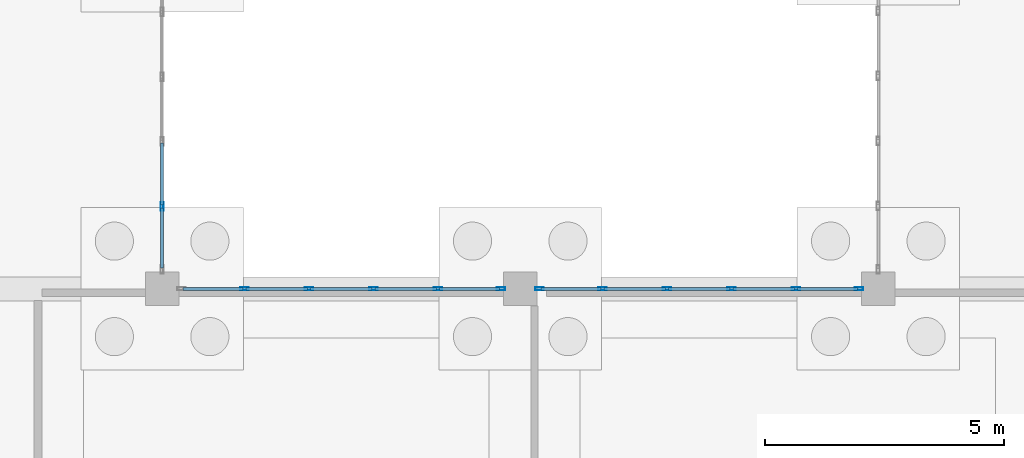
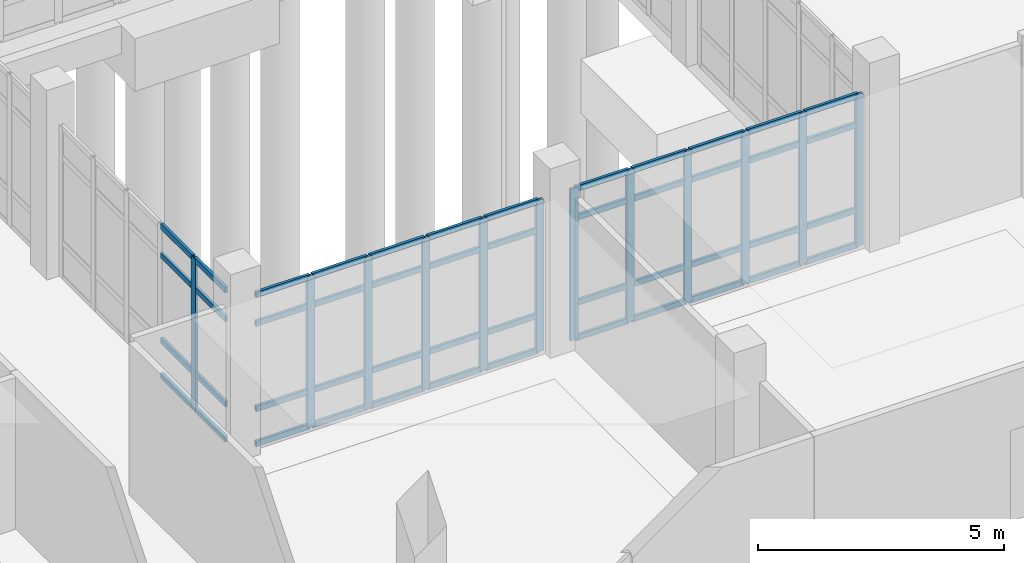
# One storey, part 39 of 173: 60 members, 3 elements without a shape of their own.
"""IFC4 building model written with IfcOpenShell, lengths in metres."""

from ifc_helpers import new_model, si_unit, direction, frame, origin, origin_2d, place, context, subcontext, project, spatial, hollow_rectangle, extrude, material, layer, layer_set, material_profile, profile_set, type_object, element, aggregate, save


model = new_model("IFC4")

# Units and contexts
model_context = context("Model", 3, precision=1e-05, world=origin(), true_north=direction((0.0, 1.0)))
body_context = subcontext(model_context, "Body", "Model", "MODEL_VIEW")
ifc_project = project(units=[si_unit("LENGTHUNIT", "METRE"), si_unit("AREAUNIT", "SQUARE_METRE"), si_unit("VOLUMEUNIT", "CUBIC_METRE"), si_unit("PLANEANGLEUNIT", "RADIAN"), si_unit("MASSUNIT", "GRAM", prefix="KILO")], contexts=[model_context])

# Site, building, storey
site_placement = place(None, origin())
site = spatial("IfcSite", under=ifc_project, at=site_placement, CompositionType="ELEMENT")
building_placement = place(site_placement, origin())
building = spatial("IfcBuilding", under=site, at=building_placement, Name="Mawjan Specialist Oncology Clinic", CompositionType="ELEMENT")
storey_placement = place(building_placement, origin())
storey = spatial("IfcBuildingStorey", under=building, at=storey_placement, Name="L00", CompositionType="ELEMENT", Elevation=0.0)

# Curtain wall, members
ifc_material_1 = material(Name="Unitised spectrally selective aluminium curtain wall", Category="aluminium")
ifc_layer_1 = layer(ifc_material_1, 0.179931640625, Name="Unitised spectrally selective aluminium curtain wall", Category="aluminium")
ifc_layer_set_1 = layer_set([ifc_layer_1], Name="Unitised spectrally selective aluminium curtain wall")
curtain_wall_type_1 = type_object("IfcCurtainWallType", Name="CW-29", PredefinedType="NOTDEFINED", material=ifc_layer_set_1)
curtain_wall_1_placement = place(storey_placement, origin())
curtain_wall_1 = element("IfcCurtainWall", 1, at=curtain_wall_1_placement, inside=storey, type_object=curtain_wall_type_1, Name="L00 Unitised Curtain Wall CW-L00-056", PredefinedType="NOTDEFINED")
ifc_material_2 = material(Name="Thermally broken aluminium 6063-T6", Category="aluminium")
ifc_material_profile_1 = material_profile(ifc_material_2, hollow_rectangle(XDim=0.06494140625, YDim=0.179931640625, WallThickness=0.00390625, at=origin_2d()), Name="ALU MULLION 180x65x4", Category="aluminium")
ifc_profile_set_1 = profile_set([ifc_material_profile_1], Name="Thermally broken aluminium 6063-T6")
member_type_1 = type_object("IfcMemberType", Name="CW-M180", PredefinedType="MULLION", material=ifc_profile_set_1)
member_1_placement = place(storey_placement, frame((16.721923828125, 45.800048828125, 0.0), z_axis=(0.0, 0.0, 1.0), x_axis=(0.0, 1.0, 0.0)))
member_1 = element("IfcMember", 2, at=member_1_placement, type_object=member_type_1, Name="CW-29 mullion 2", PredefinedType="MULLION", context=body_context, shape_type="SweptSolid", body=[
    extrude(hollow_rectangle(XDim=0.06494140625, YDim=0.179931640625, WallThickness=0.00390625, at=origin_2d()), origin(), (0.0, 0.0, 1.0), 3.764892578125),
])
member_2_placement = place(storey_placement, frame((18.073974609375, 45.800048828125, 0.0), z_axis=(0.0, 0.0, 1.0), x_axis=(0.0, 1.0, 0.0)))
member_2 = element("IfcMember", 3, at=member_2_placement, type_object=member_type_1, Name="CW-29 mullion 3", PredefinedType="MULLION", context=body_context, shape_type="SweptSolid", body=[
    extrude(hollow_rectangle(XDim=0.06494140625, YDim=0.179931640625, WallThickness=0.00390625, at=origin_2d()), origin(), (0.0, 0.0, 1.0), 3.764892578125),
])
member_3_placement = place(storey_placement, frame((19.426025390625, 45.800048828125, 0.0), z_axis=(0.0, 0.0, 1.0), x_axis=(0.0, 1.0, 0.0)))
member_3 = element("IfcMember", 4, at=member_3_placement, type_object=member_type_1, Name="CW-29 mullion 4", PredefinedType="MULLION", context=body_context, shape_type="SweptSolid", body=[
    extrude(hollow_rectangle(XDim=0.06494140625, YDim=0.179931640625, WallThickness=0.00390625, at=origin_2d()), origin(), (0.0, 0.0, 1.0), 3.764892578125),
])
member_4_placement = place(storey_placement, frame((20.778076171875, 45.800048828125, 0.0), z_axis=(0.0, 0.0, 1.0), x_axis=(0.0, 1.0, 0.0)))
member_4 = element("IfcMember", 5, at=member_4_placement, type_object=member_type_1, Name="CW-29 mullion 5", PredefinedType="MULLION", context=body_context, shape_type="SweptSolid", body=[
    extrude(hollow_rectangle(XDim=0.06494140625, YDim=0.179931640625, WallThickness=0.00390625, at=origin_2d()), origin(), (0.0, 0.0, 1.0), 3.764892578125),
])
member_5_placement = place(storey_placement, frame((22.097412109375, 45.800048828125, 0.0), z_axis=(0.0, 0.0, 1.0), x_axis=(0.0, 1.0, 0.0)))
member_5 = element("IfcMember", 6, at=member_5_placement, type_object=member_type_1, Name="CW-29 mullion 6", PredefinedType="MULLION", context=body_context, shape_type="SweptSolid", body=[
    extrude(hollow_rectangle(XDim=0.06494140625, YDim=0.179931640625, WallThickness=0.00390625, at=origin_2d()), origin(), (0.0, 0.0, 1.0), 3.764892578125),
])

curtain_wall_2_placement = place(storey_placement, origin())
curtain_wall_2 = element("IfcCurtainWall", 7, at=curtain_wall_2_placement, inside=storey, type_object=curtain_wall_type_1, Name="L00 Unitised Curtain Wall CW-L00-057", PredefinedType="NOTDEFINED")
member_6_placement = place(storey_placement, frame((22.902587890625, 45.800048828125, 0.0), z_axis=(0.0, 0.0, 1.0), x_axis=(0.0, 1.0, 0.0)))
member_6 = element("IfcMember", 8, at=member_6_placement, type_object=member_type_1, Name="CW-29 mullion 1", PredefinedType="MULLION", context=body_context, shape_type="SweptSolid", body=[
    extrude(hollow_rectangle(XDim=0.06494140625, YDim=0.179931640625, WallThickness=0.00390625, at=origin_2d()), origin(), (0.0, 0.0, 1.0), 3.764892578125),
])
member_7_placement = place(storey_placement, frame((24.221923828125, 45.800048828125, 0.0), z_axis=(0.0, 0.0, 1.0), x_axis=(0.0, 1.0, 0.0)))
member_7 = element("IfcMember", 9, at=member_7_placement, type_object=member_type_1, Name="CW-29 mullion 2", PredefinedType="MULLION", context=body_context, shape_type="SweptSolid", body=[
    extrude(hollow_rectangle(XDim=0.06494140625, YDim=0.179931640625, WallThickness=0.00390625, at=origin_2d()), origin(), (0.0, 0.0, 1.0), 3.764892578125),
])
member_8_placement = place(storey_placement, frame((25.573974609375, 45.800048828125, 0.0), z_axis=(0.0, 0.0, 1.0), x_axis=(0.0, 1.0, 0.0)))
member_8 = element("IfcMember", 10, at=member_8_placement, type_object=member_type_1, Name="CW-29 mullion 3", PredefinedType="MULLION", context=body_context, shape_type="SweptSolid", body=[
    extrude(hollow_rectangle(XDim=0.06494140625, YDim=0.179931640625, WallThickness=0.00390625, at=origin_2d()), origin(), (0.0, 0.0, 1.0), 3.764892578125),
])
member_9_placement = place(storey_placement, frame((26.926025390625, 45.800048828125, 0.0), z_axis=(0.0, 0.0, 1.0), x_axis=(0.0, 1.0, 0.0)))
member_9 = element("IfcMember", 11, at=member_9_placement, type_object=member_type_1, Name="CW-29 mullion 4", PredefinedType="MULLION", context=body_context, shape_type="SweptSolid", body=[
    extrude(hollow_rectangle(XDim=0.06494140625, YDim=0.179931640625, WallThickness=0.00390625, at=origin_2d()), origin(), (0.0, 0.0, 1.0), 3.764892578125),
])
member_10_placement = place(storey_placement, frame((28.278076171875, 45.800048828125, 0.0), z_axis=(0.0, 0.0, 1.0), x_axis=(0.0, 1.0, 0.0)))
member_10 = element("IfcMember", 12, at=member_10_placement, type_object=member_type_1, Name="CW-29 mullion 5", PredefinedType="MULLION", context=body_context, shape_type="SweptSolid", body=[
    extrude(hollow_rectangle(XDim=0.06494140625, YDim=0.179931640625, WallThickness=0.00390625, at=origin_2d()), origin(), (0.0, 0.0, 1.0), 3.764892578125),
])
member_11_placement = place(storey_placement, frame((29.597412109375, 45.800048828125, 0.0), z_axis=(0.0, 0.0, 1.0), x_axis=(0.0, 1.0, 0.0)))
member_11 = element("IfcMember", 13, at=member_11_placement, type_object=member_type_1, Name="CW-29 mullion 6", PredefinedType="MULLION", context=body_context, shape_type="SweptSolid", body=[
    extrude(hollow_rectangle(XDim=0.06494140625, YDim=0.179931640625, WallThickness=0.00390625, at=origin_2d()), origin(), (0.0, 0.0, 1.0), 3.764892578125),
])

# Curtain wall, member
ifc_material_3 = material(Name="Unitised spectrally selective aluminium curtain wall", Category="aluminium")
ifc_layer_2 = layer(ifc_material_3, 0.179931640625, Name="Unitised spectrally selective aluminium curtain wall", Category="aluminium")
ifc_layer_set_2 = layer_set([ifc_layer_2], Name="Unitised spectrally selective aluminium curtain wall")
curtain_wall_type_2 = type_object("IfcCurtainWallType", Name="CW-03", PredefinedType="NOTDEFINED", material=ifc_layer_set_2)
curtain_wall_3_placement = place(storey_placement, origin())
curtain_wall_3 = element("IfcCurtainWall", 14, at=curtain_wall_3_placement, inside=storey, type_object=curtain_wall_type_2, Name="L00 Unitised Curtain Wall CW-L00-063", PredefinedType="NOTDEFINED")
member_12_placement = place(storey_placement, frame((15.0, 47.527099609375, 0.0), z_axis=(0.0, 0.0, 1.0), x_axis=(1.0, 0.0, 0.0)))
member_12 = element("IfcMember", 15, at=member_12_placement, type_object=member_type_1, Name="CW-03 mullion 5", PredefinedType="MULLION", context=body_context, shape_type="SweptSolid", body=[
    extrude(hollow_rectangle(XDim=0.06494140625, YDim=0.179931640625, WallThickness=0.00390625, at=origin_2d()), origin(), (0.0, 0.0, 1.0), 3.764892578125),
])

# Member
ifc_material_4 = material(Name="Thermally broken aluminium 6063-T6", Category="aluminium")
ifc_material_profile_2 = material_profile(ifc_material_4, hollow_rectangle(XDim=0.06494140625, YDim=0.139892578125, WallThickness=0.00390625, at=origin_2d()), Name="ALU TRANSOM 140x65x4", Category="aluminium")
ifc_profile_set_2 = profile_set([ifc_material_profile_2], Name="Thermally broken aluminium 6063-T6")
member_type_2 = type_object("IfcMemberType", Name="CW-T140", PredefinedType="USERDEFINED", material=ifc_profile_set_2)
member_13_placement = place(storey_placement, frame((15.43505859375, 45.800048828125, 0.032470703125), z_axis=(1.0, 0.0, 0.0), x_axis=(0.0, 1.0, 0.0)))
member_13 = element("IfcMember", 16, at=member_13_placement, type_object=member_type_2, Name="CW-29 transom 1.1", ObjectType="TRANSOM", PredefinedType="USERDEFINED", context=body_context, shape_type="SweptSolid", body=[
    extrude(hollow_rectangle(XDim=0.06494140625, YDim=0.139892578125, WallThickness=0.00390625, at=origin_2d()), origin(), (0.0, 0.0, 1.0), 1.25439453125),
])

member_14_placement = place(storey_placement, frame((15.43505859375, 45.800048828125, 0.89990234375), z_axis=(1.0, 0.0, 0.0), x_axis=(0.0, 1.0, 0.0)))
member_14 = element("IfcMember", 17, at=member_14_placement, type_object=member_type_2, Name="CW-29 transom 1.2", ObjectType="TRANSOM", PredefinedType="USERDEFINED", context=body_context, shape_type="SweptSolid", body=[
    extrude(hollow_rectangle(XDim=0.06494140625, YDim=0.139892578125, WallThickness=0.00390625, at=origin_2d()), origin(), (0.0, 0.0, 1.0), 1.25439453125),
])

member_15_placement = place(storey_placement, frame((15.43505859375, 45.800048828125, 3.014892578125), z_axis=(1.0, 0.0, 0.0), x_axis=(0.0, 1.0, 0.0)))
member_15 = element("IfcMember", 18, at=member_15_placement, type_object=member_type_2, Name="CW-29 transom 1.3", ObjectType="TRANSOM", PredefinedType="USERDEFINED", context=body_context, shape_type="SweptSolid", body=[
    extrude(hollow_rectangle(XDim=0.06494140625, YDim=0.139892578125, WallThickness=0.00390625, at=origin_2d()), origin(), (0.0, 0.0, 1.0), 1.25439453125),
])

member_16_placement = place(storey_placement, frame((15.43505859375, 45.800048828125, 3.732421875), z_axis=(1.0, 0.0, 0.0), x_axis=(0.0, 1.0, 0.0)))
member_16 = element("IfcMember", 19, at=member_16_placement, type_object=member_type_2, Name="CW-29 transom 1.4", ObjectType="TRANSOM", PredefinedType="USERDEFINED", context=body_context, shape_type="SweptSolid", body=[
    extrude(hollow_rectangle(XDim=0.06494140625, YDim=0.139892578125, WallThickness=0.00390625, at=origin_2d()), origin(), (0.0, 0.0, 1.0), 1.25439453125),
])

member_17_placement = place(storey_placement, frame((16.75439453125, 45.800048828125, 0.032470703125), z_axis=(1.0, 0.0, 0.0), x_axis=(0.0, 1.0, 0.0)))
member_17 = element("IfcMember", 20, at=member_17_placement, type_object=member_type_2, Name="CW-29 transom 2.1", ObjectType="TRANSOM", PredefinedType="USERDEFINED", context=body_context, shape_type="SweptSolid", body=[
    extrude(hollow_rectangle(XDim=0.06494140625, YDim=0.139892578125, WallThickness=0.00390625, at=origin_2d()), origin(), (0.0, 0.0, 1.0), 1.287109375),
])

member_18_placement = place(storey_placement, frame((16.75439453125, 45.800048828125, 0.89990234375), z_axis=(1.0, 0.0, 0.0), x_axis=(0.0, 1.0, 0.0)))
member_18 = element("IfcMember", 21, at=member_18_placement, type_object=member_type_2, Name="CW-29 transom 2.2", ObjectType="TRANSOM", PredefinedType="USERDEFINED", context=body_context, shape_type="SweptSolid", body=[
    extrude(hollow_rectangle(XDim=0.06494140625, YDim=0.139892578125, WallThickness=0.00390625, at=origin_2d()), origin(), (0.0, 0.0, 1.0), 1.287109375),
])

member_19_placement = place(storey_placement, frame((16.75439453125, 45.800048828125, 3.014892578125), z_axis=(1.0, 0.0, 0.0), x_axis=(0.0, 1.0, 0.0)))
member_19 = element("IfcMember", 22, at=member_19_placement, type_object=member_type_2, Name="CW-29 transom 2.3", ObjectType="TRANSOM", PredefinedType="USERDEFINED", context=body_context, shape_type="SweptSolid", body=[
    extrude(hollow_rectangle(XDim=0.06494140625, YDim=0.139892578125, WallThickness=0.00390625, at=origin_2d()), origin(), (0.0, 0.0, 1.0), 1.287109375),
])

member_20_placement = place(storey_placement, frame((16.75439453125, 45.800048828125, 3.732421875), z_axis=(1.0, 0.0, 0.0), x_axis=(0.0, 1.0, 0.0)))
member_20 = element("IfcMember", 23, at=member_20_placement, type_object=member_type_2, Name="CW-29 transom 2.4", ObjectType="TRANSOM", PredefinedType="USERDEFINED", context=body_context, shape_type="SweptSolid", body=[
    extrude(hollow_rectangle(XDim=0.06494140625, YDim=0.139892578125, WallThickness=0.00390625, at=origin_2d()), origin(), (0.0, 0.0, 1.0), 1.287109375),
])

member_21_placement = place(storey_placement, frame((18.1064453125, 45.800048828125, 0.032470703125), z_axis=(1.0, 0.0, 0.0), x_axis=(0.0, 1.0, 0.0)))
member_21 = element("IfcMember", 24, at=member_21_placement, type_object=member_type_2, Name="CW-29 transom 3.1", ObjectType="TRANSOM", PredefinedType="USERDEFINED", context=body_context, shape_type="SweptSolid", body=[
    extrude(hollow_rectangle(XDim=0.06494140625, YDim=0.139892578125, WallThickness=0.00390625, at=origin_2d()), origin(), (0.0, 0.0, 1.0), 1.287109375),
])

member_22_placement = place(storey_placement, frame((18.1064453125, 45.800048828125, 0.89990234375), z_axis=(1.0, 0.0, 0.0), x_axis=(0.0, 1.0, 0.0)))
member_22 = element("IfcMember", 25, at=member_22_placement, type_object=member_type_2, Name="CW-29 transom 3.2", ObjectType="TRANSOM", PredefinedType="USERDEFINED", context=body_context, shape_type="SweptSolid", body=[
    extrude(hollow_rectangle(XDim=0.06494140625, YDim=0.139892578125, WallThickness=0.00390625, at=origin_2d()), origin(), (0.0, 0.0, 1.0), 1.287109375),
])

member_23_placement = place(storey_placement, frame((18.1064453125, 45.800048828125, 3.014892578125), z_axis=(1.0, 0.0, 0.0), x_axis=(0.0, 1.0, 0.0)))
member_23 = element("IfcMember", 26, at=member_23_placement, type_object=member_type_2, Name="CW-29 transom 3.3", ObjectType="TRANSOM", PredefinedType="USERDEFINED", context=body_context, shape_type="SweptSolid", body=[
    extrude(hollow_rectangle(XDim=0.06494140625, YDim=0.139892578125, WallThickness=0.00390625, at=origin_2d()), origin(), (0.0, 0.0, 1.0), 1.287109375),
])

member_24_placement = place(storey_placement, frame((18.1064453125, 45.800048828125, 3.732421875), z_axis=(1.0, 0.0, 0.0), x_axis=(0.0, 1.0, 0.0)))
member_24 = element("IfcMember", 27, at=member_24_placement, type_object=member_type_2, Name="CW-29 transom 3.4", ObjectType="TRANSOM", PredefinedType="USERDEFINED", context=body_context, shape_type="SweptSolid", body=[
    extrude(hollow_rectangle(XDim=0.06494140625, YDim=0.139892578125, WallThickness=0.00390625, at=origin_2d()), origin(), (0.0, 0.0, 1.0), 1.287109375),
])

member_25_placement = place(storey_placement, frame((19.45849609375, 45.800048828125, 0.032470703125), z_axis=(1.0, 0.0, 0.0), x_axis=(0.0, 1.0, 0.0)))
member_25 = element("IfcMember", 28, at=member_25_placement, type_object=member_type_2, Name="CW-29 transom 4.1", ObjectType="TRANSOM", PredefinedType="USERDEFINED", context=body_context, shape_type="SweptSolid", body=[
    extrude(hollow_rectangle(XDim=0.06494140625, YDim=0.139892578125, WallThickness=0.00390625, at=origin_2d()), origin(), (0.0, 0.0, 1.0), 1.287109375),
])

member_26_placement = place(storey_placement, frame((19.45849609375, 45.800048828125, 0.89990234375), z_axis=(1.0, 0.0, 0.0), x_axis=(0.0, 1.0, 0.0)))
member_26 = element("IfcMember", 29, at=member_26_placement, type_object=member_type_2, Name="CW-29 transom 4.2", ObjectType="TRANSOM", PredefinedType="USERDEFINED", context=body_context, shape_type="SweptSolid", body=[
    extrude(hollow_rectangle(XDim=0.06494140625, YDim=0.139892578125, WallThickness=0.00390625, at=origin_2d()), origin(), (0.0, 0.0, 1.0), 1.287109375),
])

member_27_placement = place(storey_placement, frame((19.45849609375, 45.800048828125, 3.014892578125), z_axis=(1.0, 0.0, 0.0), x_axis=(0.0, 1.0, 0.0)))
member_27 = element("IfcMember", 30, at=member_27_placement, type_object=member_type_2, Name="CW-29 transom 4.3", ObjectType="TRANSOM", PredefinedType="USERDEFINED", context=body_context, shape_type="SweptSolid", body=[
    extrude(hollow_rectangle(XDim=0.06494140625, YDim=0.139892578125, WallThickness=0.00390625, at=origin_2d()), origin(), (0.0, 0.0, 1.0), 1.287109375),
])

member_28_placement = place(storey_placement, frame((19.45849609375, 45.800048828125, 3.732421875), z_axis=(1.0, 0.0, 0.0), x_axis=(0.0, 1.0, 0.0)))
member_28 = element("IfcMember", 31, at=member_28_placement, type_object=member_type_2, Name="CW-29 transom 4.4", ObjectType="TRANSOM", PredefinedType="USERDEFINED", context=body_context, shape_type="SweptSolid", body=[
    extrude(hollow_rectangle(XDim=0.06494140625, YDim=0.139892578125, WallThickness=0.00390625, at=origin_2d()), origin(), (0.0, 0.0, 1.0), 1.287109375),
])

member_29_placement = place(storey_placement, frame((20.810546875, 45.800048828125, 0.032470703125), z_axis=(1.0, 0.0, 0.0), x_axis=(0.0, 1.0, 0.0)))
member_29 = element("IfcMember", 32, at=member_29_placement, type_object=member_type_2, Name="CW-29 transom 5.1", ObjectType="TRANSOM", PredefinedType="USERDEFINED", context=body_context, shape_type="SweptSolid", body=[
    extrude(hollow_rectangle(XDim=0.06494140625, YDim=0.139892578125, WallThickness=0.00390625, at=origin_2d()), origin(), (0.0, 0.0, 1.0), 1.25439453125),
])

member_30_placement = place(storey_placement, frame((20.810546875, 45.800048828125, 0.89990234375), z_axis=(1.0, 0.0, 0.0), x_axis=(0.0, 1.0, 0.0)))
member_30 = element("IfcMember", 33, at=member_30_placement, type_object=member_type_2, Name="CW-29 transom 5.2", ObjectType="TRANSOM", PredefinedType="USERDEFINED", context=body_context, shape_type="SweptSolid", body=[
    extrude(hollow_rectangle(XDim=0.06494140625, YDim=0.139892578125, WallThickness=0.00390625, at=origin_2d()), origin(), (0.0, 0.0, 1.0), 1.25439453125),
])

member_31_placement = place(storey_placement, frame((20.810546875, 45.800048828125, 3.014892578125), z_axis=(1.0, 0.0, 0.0), x_axis=(0.0, 1.0, 0.0)))
member_31 = element("IfcMember", 34, at=member_31_placement, type_object=member_type_2, Name="CW-29 transom 5.3", ObjectType="TRANSOM", PredefinedType="USERDEFINED", context=body_context, shape_type="SweptSolid", body=[
    extrude(hollow_rectangle(XDim=0.06494140625, YDim=0.139892578125, WallThickness=0.00390625, at=origin_2d()), origin(), (0.0, 0.0, 1.0), 1.25439453125),
])

member_32_placement = place(storey_placement, frame((20.810546875, 45.800048828125, 3.732421875), z_axis=(1.0, 0.0, 0.0), x_axis=(0.0, 1.0, 0.0)))
member_32 = element("IfcMember", 35, at=member_32_placement, type_object=member_type_2, Name="CW-29 transom 5.4", ObjectType="TRANSOM", PredefinedType="USERDEFINED", context=body_context, shape_type="SweptSolid", body=[
    extrude(hollow_rectangle(XDim=0.06494140625, YDim=0.139892578125, WallThickness=0.00390625, at=origin_2d()), origin(), (0.0, 0.0, 1.0), 1.25439453125),
])

aggregate(curtain_wall_1, [member_1, member_2, member_3, member_4, member_5, member_13, member_14, member_15, member_16, member_17, member_18, member_19, member_20, member_21, member_22, member_23, member_24, member_25, member_26, member_27, member_28, member_29, member_30, member_31, member_32])

member_33_placement = place(storey_placement, frame((22.93505859375, 45.800048828125, 0.032470703125), z_axis=(1.0, 0.0, 0.0), x_axis=(0.0, 1.0, 0.0)))
member_33 = element("IfcMember", 36, at=member_33_placement, type_object=member_type_2, Name="CW-29 transom 1.1", ObjectType="TRANSOM", PredefinedType="USERDEFINED", context=body_context, shape_type="SweptSolid", body=[
    extrude(hollow_rectangle(XDim=0.06494140625, YDim=0.139892578125, WallThickness=0.00390625, at=origin_2d()), origin(), (0.0, 0.0, 1.0), 1.25439453125),
])

member_34_placement = place(storey_placement, frame((22.93505859375, 45.800048828125, 0.89990234375), z_axis=(1.0, 0.0, 0.0), x_axis=(0.0, 1.0, 0.0)))
member_34 = element("IfcMember", 37, at=member_34_placement, type_object=member_type_2, Name="CW-29 transom 1.2", ObjectType="TRANSOM", PredefinedType="USERDEFINED", context=body_context, shape_type="SweptSolid", body=[
    extrude(hollow_rectangle(XDim=0.06494140625, YDim=0.139892578125, WallThickness=0.00390625, at=origin_2d()), origin(), (0.0, 0.0, 1.0), 1.25439453125),
])

member_35_placement = place(storey_placement, frame((22.93505859375, 45.800048828125, 3.014892578125), z_axis=(1.0, 0.0, 0.0), x_axis=(0.0, 1.0, 0.0)))
member_35 = element("IfcMember", 38, at=member_35_placement, type_object=member_type_2, Name="CW-29 transom 1.3", ObjectType="TRANSOM", PredefinedType="USERDEFINED", context=body_context, shape_type="SweptSolid", body=[
    extrude(hollow_rectangle(XDim=0.06494140625, YDim=0.139892578125, WallThickness=0.00390625, at=origin_2d()), origin(), (0.0, 0.0, 1.0), 1.25439453125),
])

member_36_placement = place(storey_placement, frame((22.93505859375, 45.800048828125, 3.732421875), z_axis=(1.0, 0.0, 0.0), x_axis=(0.0, 1.0, 0.0)))
member_36 = element("IfcMember", 39, at=member_36_placement, type_object=member_type_2, Name="CW-29 transom 1.4", ObjectType="TRANSOM", PredefinedType="USERDEFINED", context=body_context, shape_type="SweptSolid", body=[
    extrude(hollow_rectangle(XDim=0.06494140625, YDim=0.139892578125, WallThickness=0.00390625, at=origin_2d()), origin(), (0.0, 0.0, 1.0), 1.25439453125),
])

member_37_placement = place(storey_placement, frame((24.25439453125, 45.800048828125, 0.032470703125), z_axis=(1.0, 0.0, 0.0), x_axis=(0.0, 1.0, 0.0)))
member_37 = element("IfcMember", 40, at=member_37_placement, type_object=member_type_2, Name="CW-29 transom 2.1", ObjectType="TRANSOM", PredefinedType="USERDEFINED", context=body_context, shape_type="SweptSolid", body=[
    extrude(hollow_rectangle(XDim=0.06494140625, YDim=0.139892578125, WallThickness=0.00390625, at=origin_2d()), origin(), (0.0, 0.0, 1.0), 1.287109375),
])

member_38_placement = place(storey_placement, frame((24.25439453125, 45.800048828125, 0.89990234375), z_axis=(1.0, 0.0, 0.0), x_axis=(0.0, 1.0, 0.0)))
member_38 = element("IfcMember", 41, at=member_38_placement, type_object=member_type_2, Name="CW-29 transom 2.2", ObjectType="TRANSOM", PredefinedType="USERDEFINED", context=body_context, shape_type="SweptSolid", body=[
    extrude(hollow_rectangle(XDim=0.06494140625, YDim=0.139892578125, WallThickness=0.00390625, at=origin_2d()), origin(), (0.0, 0.0, 1.0), 1.287109375),
])

member_39_placement = place(storey_placement, frame((24.25439453125, 45.800048828125, 3.014892578125), z_axis=(1.0, 0.0, 0.0), x_axis=(0.0, 1.0, 0.0)))
member_39 = element("IfcMember", 42, at=member_39_placement, type_object=member_type_2, Name="CW-29 transom 2.3", ObjectType="TRANSOM", PredefinedType="USERDEFINED", context=body_context, shape_type="SweptSolid", body=[
    extrude(hollow_rectangle(XDim=0.06494140625, YDim=0.139892578125, WallThickness=0.00390625, at=origin_2d()), origin(), (0.0, 0.0, 1.0), 1.287109375),
])

member_40_placement = place(storey_placement, frame((24.25439453125, 45.800048828125, 3.732421875), z_axis=(1.0, 0.0, 0.0), x_axis=(0.0, 1.0, 0.0)))
member_40 = element("IfcMember", 43, at=member_40_placement, type_object=member_type_2, Name="CW-29 transom 2.4", ObjectType="TRANSOM", PredefinedType="USERDEFINED", context=body_context, shape_type="SweptSolid", body=[
    extrude(hollow_rectangle(XDim=0.06494140625, YDim=0.139892578125, WallThickness=0.00390625, at=origin_2d()), origin(), (0.0, 0.0, 1.0), 1.287109375),
])

member_41_placement = place(storey_placement, frame((25.6064453125, 45.800048828125, 0.032470703125), z_axis=(1.0, 0.0, 0.0), x_axis=(0.0, 1.0, 0.0)))
member_41 = element("IfcMember", 44, at=member_41_placement, type_object=member_type_2, Name="CW-29 transom 3.1", ObjectType="TRANSOM", PredefinedType="USERDEFINED", context=body_context, shape_type="SweptSolid", body=[
    extrude(hollow_rectangle(XDim=0.06494140625, YDim=0.139892578125, WallThickness=0.00390625, at=origin_2d()), origin(), (0.0, 0.0, 1.0), 1.287109375),
])

member_42_placement = place(storey_placement, frame((25.6064453125, 45.800048828125, 0.89990234375), z_axis=(1.0, 0.0, 0.0), x_axis=(0.0, 1.0, 0.0)))
member_42 = element("IfcMember", 45, at=member_42_placement, type_object=member_type_2, Name="CW-29 transom 3.2", ObjectType="TRANSOM", PredefinedType="USERDEFINED", context=body_context, shape_type="SweptSolid", body=[
    extrude(hollow_rectangle(XDim=0.06494140625, YDim=0.139892578125, WallThickness=0.00390625, at=origin_2d()), origin(), (0.0, 0.0, 1.0), 1.287109375),
])

member_43_placement = place(storey_placement, frame((25.6064453125, 45.800048828125, 3.014892578125), z_axis=(1.0, 0.0, 0.0), x_axis=(0.0, 1.0, 0.0)))
member_43 = element("IfcMember", 46, at=member_43_placement, type_object=member_type_2, Name="CW-29 transom 3.3", ObjectType="TRANSOM", PredefinedType="USERDEFINED", context=body_context, shape_type="SweptSolid", body=[
    extrude(hollow_rectangle(XDim=0.06494140625, YDim=0.139892578125, WallThickness=0.00390625, at=origin_2d()), origin(), (0.0, 0.0, 1.0), 1.287109375),
])

member_44_placement = place(storey_placement, frame((25.6064453125, 45.800048828125, 3.732421875), z_axis=(1.0, 0.0, 0.0), x_axis=(0.0, 1.0, 0.0)))
member_44 = element("IfcMember", 47, at=member_44_placement, type_object=member_type_2, Name="CW-29 transom 3.4", ObjectType="TRANSOM", PredefinedType="USERDEFINED", context=body_context, shape_type="SweptSolid", body=[
    extrude(hollow_rectangle(XDim=0.06494140625, YDim=0.139892578125, WallThickness=0.00390625, at=origin_2d()), origin(), (0.0, 0.0, 1.0), 1.287109375),
])

member_45_placement = place(storey_placement, frame((26.95849609375, 45.800048828125, 0.032470703125), z_axis=(1.0, 0.0, 0.0), x_axis=(0.0, 1.0, 0.0)))
member_45 = element("IfcMember", 48, at=member_45_placement, type_object=member_type_2, Name="CW-29 transom 4.1", ObjectType="TRANSOM", PredefinedType="USERDEFINED", context=body_context, shape_type="SweptSolid", body=[
    extrude(hollow_rectangle(XDim=0.06494140625, YDim=0.139892578125, WallThickness=0.00390625, at=origin_2d()), origin(), (0.0, 0.0, 1.0), 1.287109375),
])

member_46_placement = place(storey_placement, frame((26.95849609375, 45.800048828125, 0.89990234375), z_axis=(1.0, 0.0, 0.0), x_axis=(0.0, 1.0, 0.0)))
member_46 = element("IfcMember", 49, at=member_46_placement, type_object=member_type_2, Name="CW-29 transom 4.2", ObjectType="TRANSOM", PredefinedType="USERDEFINED", context=body_context, shape_type="SweptSolid", body=[
    extrude(hollow_rectangle(XDim=0.06494140625, YDim=0.139892578125, WallThickness=0.00390625, at=origin_2d()), origin(), (0.0, 0.0, 1.0), 1.287109375),
])

member_47_placement = place(storey_placement, frame((26.95849609375, 45.800048828125, 3.014892578125), z_axis=(1.0, 0.0, 0.0), x_axis=(0.0, 1.0, 0.0)))
member_47 = element("IfcMember", 50, at=member_47_placement, type_object=member_type_2, Name="CW-29 transom 4.3", ObjectType="TRANSOM", PredefinedType="USERDEFINED", context=body_context, shape_type="SweptSolid", body=[
    extrude(hollow_rectangle(XDim=0.06494140625, YDim=0.139892578125, WallThickness=0.00390625, at=origin_2d()), origin(), (0.0, 0.0, 1.0), 1.287109375),
])

member_48_placement = place(storey_placement, frame((26.95849609375, 45.800048828125, 3.732421875), z_axis=(1.0, 0.0, 0.0), x_axis=(0.0, 1.0, 0.0)))
member_48 = element("IfcMember", 51, at=member_48_placement, type_object=member_type_2, Name="CW-29 transom 4.4", ObjectType="TRANSOM", PredefinedType="USERDEFINED", context=body_context, shape_type="SweptSolid", body=[
    extrude(hollow_rectangle(XDim=0.06494140625, YDim=0.139892578125, WallThickness=0.00390625, at=origin_2d()), origin(), (0.0, 0.0, 1.0), 1.287109375),
])

member_49_placement = place(storey_placement, frame((28.310546875, 45.800048828125, 0.032470703125), z_axis=(1.0, 0.0, 0.0), x_axis=(0.0, 1.0, 0.0)))
member_49 = element("IfcMember", 52, at=member_49_placement, type_object=member_type_2, Name="CW-29 transom 5.1", ObjectType="TRANSOM", PredefinedType="USERDEFINED", context=body_context, shape_type="SweptSolid", body=[
    extrude(hollow_rectangle(XDim=0.06494140625, YDim=0.139892578125, WallThickness=0.00390625, at=origin_2d()), origin(), (0.0, 0.0, 1.0), 1.25439453125),
])

member_50_placement = place(storey_placement, frame((28.310546875, 45.800048828125, 0.89990234375), z_axis=(1.0, 0.0, 0.0), x_axis=(0.0, 1.0, 0.0)))
member_50 = element("IfcMember", 53, at=member_50_placement, type_object=member_type_2, Name="CW-29 transom 5.2", ObjectType="TRANSOM", PredefinedType="USERDEFINED", context=body_context, shape_type="SweptSolid", body=[
    extrude(hollow_rectangle(XDim=0.06494140625, YDim=0.139892578125, WallThickness=0.00390625, at=origin_2d()), origin(), (0.0, 0.0, 1.0), 1.25439453125),
])

member_51_placement = place(storey_placement, frame((28.310546875, 45.800048828125, 3.014892578125), z_axis=(1.0, 0.0, 0.0), x_axis=(0.0, 1.0, 0.0)))
member_51 = element("IfcMember", 54, at=member_51_placement, type_object=member_type_2, Name="CW-29 transom 5.3", ObjectType="TRANSOM", PredefinedType="USERDEFINED", context=body_context, shape_type="SweptSolid", body=[
    extrude(hollow_rectangle(XDim=0.06494140625, YDim=0.139892578125, WallThickness=0.00390625, at=origin_2d()), origin(), (0.0, 0.0, 1.0), 1.25439453125),
])

member_52_placement = place(storey_placement, frame((28.310546875, 45.800048828125, 3.732421875), z_axis=(1.0, 0.0, 0.0), x_axis=(0.0, 1.0, 0.0)))
member_52 = element("IfcMember", 55, at=member_52_placement, type_object=member_type_2, Name="CW-29 transom 5.4", ObjectType="TRANSOM", PredefinedType="USERDEFINED", context=body_context, shape_type="SweptSolid", body=[
    extrude(hollow_rectangle(XDim=0.06494140625, YDim=0.139892578125, WallThickness=0.00390625, at=origin_2d()), origin(), (0.0, 0.0, 1.0), 1.25439453125),
])

aggregate(curtain_wall_2, [member_6, member_7, member_8, member_9, member_10, member_11, member_33, member_34, member_35, member_36, member_37, member_38, member_39, member_40, member_41, member_42, member_43, member_44, member_45, member_46, member_47, member_48, member_49, member_50, member_51, member_52])

member_53_placement = place(storey_placement, frame((15.0, 48.8515625, 0.032470703125), z_axis=(0.0, -1.0, 0.0), x_axis=(1.0, 0.0, 0.0)))
member_53 = element("IfcMember", 56, at=member_53_placement, type_object=member_type_2, Name="CW-03 transom 4.1", ObjectType="TRANSOM", PredefinedType="USERDEFINED", context=body_context, shape_type="SweptSolid", body=[
    extrude(hollow_rectangle(XDim=0.06494140625, YDim=0.139892578125, WallThickness=0.00390625, at=origin_2d()), origin(), (0.0, 0.0, 1.0), 1.2919921875),
])

member_54_placement = place(storey_placement, frame((15.0, 48.8515625, 0.89990234375), z_axis=(0.0, -1.0, 0.0), x_axis=(1.0, 0.0, 0.0)))
member_54 = element("IfcMember", 57, at=member_54_placement, type_object=member_type_2, Name="CW-03 transom 4.2", ObjectType="TRANSOM", PredefinedType="USERDEFINED", context=body_context, shape_type="SweptSolid", body=[
    extrude(hollow_rectangle(XDim=0.06494140625, YDim=0.139892578125, WallThickness=0.00390625, at=origin_2d()), origin(), (0.0, 0.0, 1.0), 1.2919921875),
])

member_55_placement = place(storey_placement, frame((15.0, 48.8515625, 3.014892578125), z_axis=(0.0, -1.0, 0.0), x_axis=(1.0, 0.0, 0.0)))
member_55 = element("IfcMember", 58, at=member_55_placement, type_object=member_type_2, Name="CW-03 transom 4.3", ObjectType="TRANSOM", PredefinedType="USERDEFINED", context=body_context, shape_type="SweptSolid", body=[
    extrude(hollow_rectangle(XDim=0.06494140625, YDim=0.139892578125, WallThickness=0.00390625, at=origin_2d()), origin(), (0.0, 0.0, 1.0), 1.2919921875),
])

member_56_placement = place(storey_placement, frame((15.0, 48.8515625, 3.732421875), z_axis=(0.0, -1.0, 0.0), x_axis=(1.0, 0.0, 0.0)))
member_56 = element("IfcMember", 59, at=member_56_placement, type_object=member_type_2, Name="CW-03 transom 4.4", ObjectType="TRANSOM", PredefinedType="USERDEFINED", context=body_context, shape_type="SweptSolid", body=[
    extrude(hollow_rectangle(XDim=0.06494140625, YDim=0.139892578125, WallThickness=0.00390625, at=origin_2d()), origin(), (0.0, 0.0, 1.0), 1.2919921875),
])

member_57_placement = place(storey_placement, frame((15.0, 47.494384765625, 0.032470703125), z_axis=(0.0, -1.0, 0.0), x_axis=(1.0, 0.0, 0.0)))
member_57 = element("IfcMember", 60, at=member_57_placement, type_object=member_type_2, Name="CW-03 transom 5.1", ObjectType="TRANSOM", PredefinedType="USERDEFINED", context=body_context, shape_type="SweptSolid", body=[
    extrude(hollow_rectangle(XDim=0.06494140625, YDim=0.139892578125, WallThickness=0.00390625, at=origin_2d()), origin(), (0.0, 0.0, 1.0), 1.25927734375),
])

member_58_placement = place(storey_placement, frame((15.0, 47.494384765625, 0.89990234375), z_axis=(0.0, -1.0, 0.0), x_axis=(1.0, 0.0, 0.0)))
member_58 = element("IfcMember", 61, at=member_58_placement, type_object=member_type_2, Name="CW-03 transom 5.2", ObjectType="TRANSOM", PredefinedType="USERDEFINED", context=body_context, shape_type="SweptSolid", body=[
    extrude(hollow_rectangle(XDim=0.06494140625, YDim=0.139892578125, WallThickness=0.00390625, at=origin_2d()), origin(), (0.0, 0.0, 1.0), 1.25927734375),
])

member_59_placement = place(storey_placement, frame((15.0, 47.494384765625, 3.014892578125), z_axis=(0.0, -1.0, 0.0), x_axis=(1.0, 0.0, 0.0)))
member_59 = element("IfcMember", 62, at=member_59_placement, type_object=member_type_2, Name="CW-03 transom 5.3", ObjectType="TRANSOM", PredefinedType="USERDEFINED", context=body_context, shape_type="SweptSolid", body=[
    extrude(hollow_rectangle(XDim=0.06494140625, YDim=0.139892578125, WallThickness=0.00390625, at=origin_2d()), origin(), (0.0, 0.0, 1.0), 1.25927734375),
])

member_60_placement = place(storey_placement, frame((15.0, 47.494384765625, 3.732421875), z_axis=(0.0, -1.0, 0.0), x_axis=(1.0, 0.0, 0.0)))
member_60 = element("IfcMember", 63, at=member_60_placement, type_object=member_type_2, Name="CW-03 transom 5.4", ObjectType="TRANSOM", PredefinedType="USERDEFINED", context=body_context, shape_type="SweptSolid", body=[
    extrude(hollow_rectangle(XDim=0.06494140625, YDim=0.139892578125, WallThickness=0.00390625, at=origin_2d()), origin(), (0.0, 0.0, 1.0), 1.25927734375),
])

aggregate(curtain_wall_3, [member_12, member_53, member_54, member_55, member_56, member_57, member_58, member_59, member_60])

save(model, "model.ifc")
